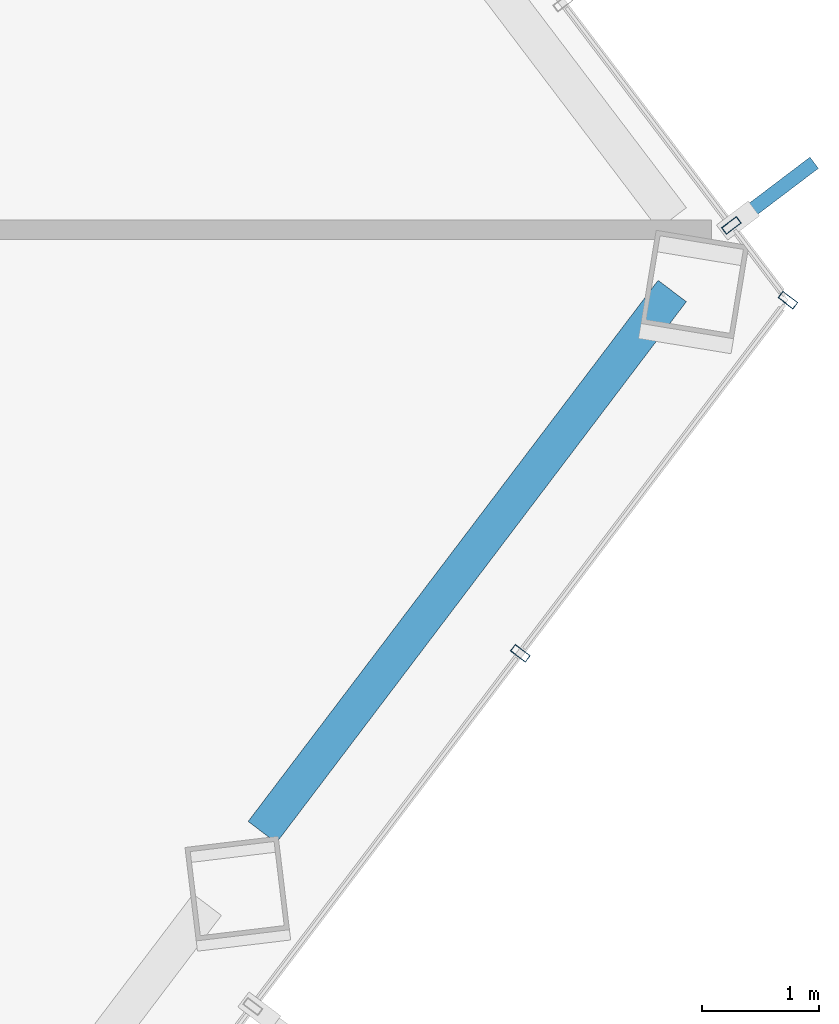
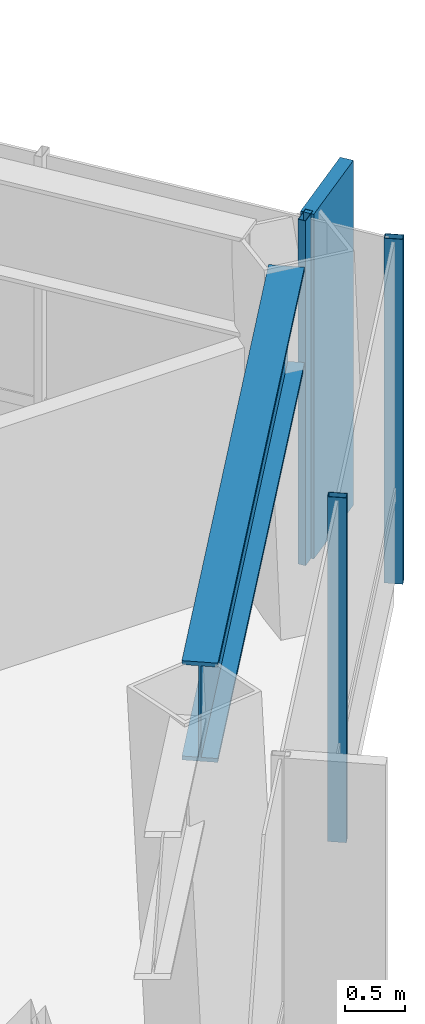
# One storey, part 21 of 29: 4 members, 1 beam, 2 elements without a shape of their own.
"""IFC4 building model written with IfcOpenShell, lengths in metres."""

from ifc_helpers import new_model, si_unit, direction, frame, origin, origin_2d, place, context, subcontext, project, spatial, rectangle, hollow_rectangle, i_section, extrude, material, layer, layer_set, material_profile, profile_set, type_object, element, aggregate, save


model = new_model("IFC4")

# Units and contexts
model_context = context("Model", 3, precision=1e-05, world=origin(), true_north=direction((0.0, 1.0)))
body_context = subcontext(model_context, "Body", "Model", "MODEL_VIEW")
ifc_project = project(units=[si_unit("LENGTHUNIT", "METRE"), si_unit("AREAUNIT", "SQUARE_METRE"), si_unit("VOLUMEUNIT", "CUBIC_METRE"), si_unit("PLANEANGLEUNIT", "RADIAN"), si_unit("MASSUNIT", "GRAM", prefix="KILO")], contexts=[model_context])

# Site, building, storey
site_placement = place(None, origin())
site = spatial("IfcSite", under=ifc_project, at=site_placement, CompositionType="ELEMENT")
building_placement = place(site_placement, origin())
building = spatial("IfcBuilding", under=site, at=building_placement, Name="Zarrinselat Tower", CompositionType="ELEMENT")
storey_placement = place(building_placement, frame((0.0, 0.0, 142.1201171875)))
storey = spatial("IfcBuildingStorey", under=building, at=storey_placement, Name="L34", CompositionType="ELEMENT", Elevation=142.1201171875)

# Beam
ifc_material_1 = material(Name="Steel S460M", Category="steel")
ifc_material_profile_1 = material_profile(ifc_material_1, i_section(OverallWidth=0.302001953125, OverallDepth=1.008056640625, WebThickness=0.02099609375, FlangeThickness=0.0400390625, at=origin_2d()), Name="HEM 1000")
ifc_profile_set_1 = profile_set([ifc_material_profile_1], Name="Steel S460M")
beam_type = type_object("IfcBeamType", Name="BM-HEM1000", PredefinedType="BEAM", material=ifc_profile_set_1)
beam_placement = place(storey_placement, frame((58.381103515625, 34.48486328125, 2.995849609375), z_axis=(0.603867434816, 0.797084764106, 0.0), x_axis=(-0.797084764106, 0.603867434816, 0.0)))
element("IfcBeam", 1, at=beam_placement, inside=storey, type_object=beam_type, Name="L34 Perimeter Spandrel Girder SP14", PredefinedType="BEAM", context=body_context, shape_type="SweptSolid", body=[
    extrude(i_section(OverallWidth=0.302001953125, OverallDepth=1.008056640625, WebThickness=0.02099609375, FlangeThickness=0.0400390625, at=origin_2d()), origin(), (0.0, 0.0, 1.0), 5.787109375),
])

# Curtain wall, members
ifc_material_2 = material(Name="Extruded Aluminium Alloy EN AW-6063 T6", Category="aluminium")
ifc_layer = layer(ifc_material_2, 0.175048828125)
ifc_layer_set = layer_set([ifc_layer], Name="Extruded Aluminium Alloy EN AW-6063 T6")
curtain_wall_type = type_object("IfcCurtainWallType", Name="CWS-HTL", PredefinedType="NOTDEFINED", material=ifc_layer_set)
curtain_wall_1_placement = place(storey_placement, origin())
curtain_wall_1 = element("IfcCurtainWall", 2, at=curtain_wall_1_placement, inside=storey, type_object=curtain_wall_type, Name="L34 Unitised Curtain Wall CW-L34-E05", PredefinedType="NOTDEFINED")
ifc_material_3 = material(Name="Extruded Aluminium Alloy EN AW-6063 T6", Category="aluminium")
ifc_material_profile_2 = material_profile(ifc_material_3, hollow_rectangle(XDim=0.070068359375, YDim=0.159912109375, WallThickness=0.00390625, at=origin_2d()), Name="RHS 160x70x4")
ifc_profile_set_2 = profile_set([ifc_material_profile_2], Name="Extruded Aluminium Alloy EN AW-6063 T6")
member_type_1 = type_object("IfcMemberType", Name="MEM-CW-MUL2", PredefinedType="MULLION", material=ifc_profile_set_2)
member_1_placement = place(storey_placement, frame((60.581298828125, 36.009521484375, 0.0), z_axis=(0.0, 0.0, 1.0), x_axis=(0.603855794642, 0.797093582509, 0.0)))
member_1 = element("IfcMember", 3, at=member_1_placement, type_object=member_type_1, Name="CW-L34-E05 Mullion 8", PredefinedType="MULLION", context=body_context, shape_type="SweptSolid", body=[
    extrude(hollow_rectangle(XDim=0.070068359375, YDim=0.159912109375, WallThickness=0.00390625, at=origin_2d()), origin(), (0.0, 0.0, 1.0), 3.5),
])
member_2_placement = place(storey_placement, frame((62.8623046875, 39.02001953125, 0.0), z_axis=(0.0, 0.0, 1.0), x_axis=(0.603855794642, 0.797093582509, 0.0)))
member_2 = element("IfcMember", 4, at=member_2_placement, type_object=member_type_1, Name="CW-L34-E05 Mullion 9", PredefinedType="MULLION", context=body_context, shape_type="SweptSolid", body=[
    extrude(hollow_rectangle(XDim=0.070068359375, YDim=0.159912109375, WallThickness=0.00390625, at=origin_2d()), origin(), (0.0, 0.0, 1.0), 3.5),
])
aggregate(curtain_wall_1, [member_1, member_2])

curtain_wall_2_placement = place(storey_placement, origin())
curtain_wall_2 = element("IfcCurtainWall", 5, at=curtain_wall_2_placement, inside=storey, type_object=curtain_wall_type, Name="L34 Unitised Curtain Wall CW-L34-E06", PredefinedType="NOTDEFINED")
member_3_placement = place(storey_placement, frame((62.38037109375, 39.65625, 0.0), z_axis=(0.0, 0.0, 1.0), x_axis=(-0.60385935447, 0.79709088567, 0.0)))
member_3 = element("IfcMember", 6, at=member_3_placement, type_object=member_type_1, Name="CW-L34-E06 Mullion 1", PredefinedType="MULLION", context=body_context, shape_type="SweptSolid", body=[
    extrude(hollow_rectangle(XDim=0.070068359375, YDim=0.159912109375, WallThickness=0.00390625, at=origin_2d()), origin(), (0.0, 0.0, 1.0), 3.5),
])
ifc_material_4 = material(Name="Honed Cream Travertine Stone", Category="masonry")
ifc_material_profile_3 = material_profile(ifc_material_4, rectangle(XDim=0.1201171875, YDim=0.85009765625, at=origin_2d()), Name="FIN 850x120")
ifc_profile_set_3 = profile_set([ifc_material_profile_3], Name="Honed Cream Travertine Stone")
member_type_2 = type_object("IfcMemberType", Name="MEM-STONE-FIN", PredefinedType="USERDEFINED", material=ifc_profile_set_3)
member_4_placement = place(storey_placement, frame((62.7470703125, 39.93408203125, 0.0), z_axis=(0.0, 0.0, 1.0), x_axis=(0.60385935447, -0.79709088567, 0.0)))
member_4 = element("IfcMember", 7, at=member_4_placement, type_object=member_type_2, Name="L34 Stone Shading Fin CW-L34-E06-01", ObjectType="FIN", PredefinedType="USERDEFINED", context=body_context, shape_type="SweptSolid", body=[
    extrude(rectangle(XDim=0.1201171875, YDim=0.85009765625, at=origin_2d()), origin(), (0.0, 0.0, 1.0), 3.5),
])
aggregate(curtain_wall_2, [member_3, member_4])

save(model, "model.ifc")
